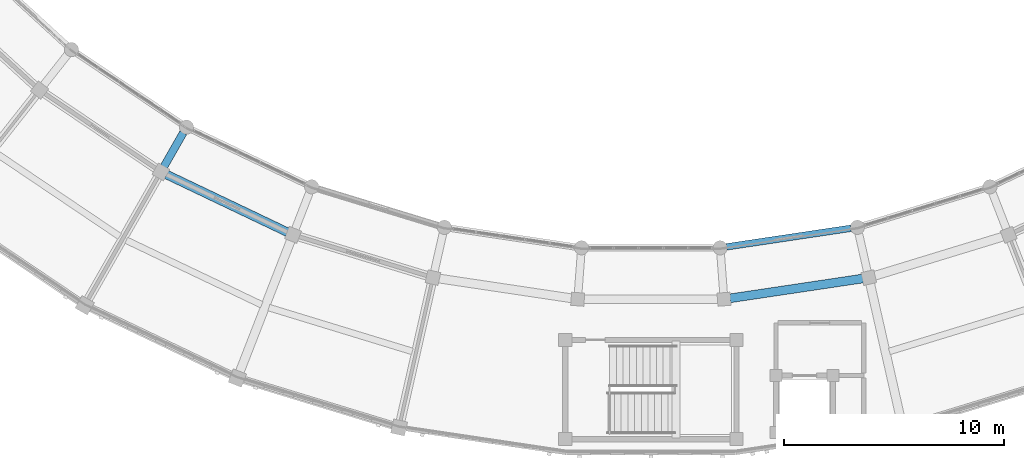
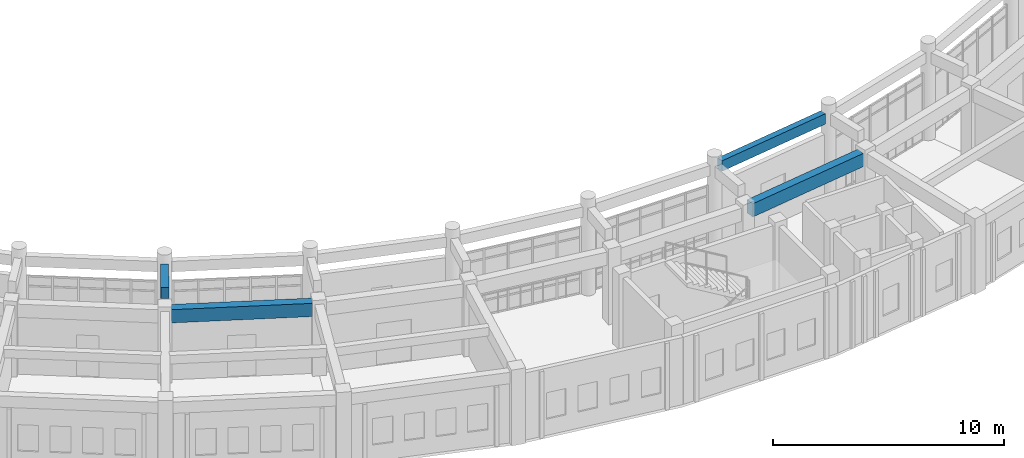
# One storey, part 33 of 159: 4 beams.
"""IFC4 building model written with IfcOpenShell, lengths in metres."""

from ifc_helpers import new_model, si_unit, direction, frame, origin, origin_2d, place, context, subcontext, project, spatial, rectangle, extrude, material, material_profile, profile_set, type_object, element, save


model = new_model("IFC4")

# Units and contexts
model_context = context("Model", 3, precision=1e-05, world=origin(), true_north=direction((0.0, 1.0)))
body_context = subcontext(model_context, "Body", "Model", "MODEL_VIEW")
ifc_project = project(units=[si_unit("LENGTHUNIT", "METRE"), si_unit("AREAUNIT", "SQUARE_METRE"), si_unit("VOLUMEUNIT", "CUBIC_METRE"), si_unit("PLANEANGLEUNIT", "RADIAN"), si_unit("MASSUNIT", "GRAM", prefix="KILO")], contexts=[model_context])

# Site, building, storey
site_placement = place(None, origin())
site = spatial("IfcSite", under=ifc_project, at=site_placement, CompositionType="ELEMENT")
building_placement = place(site_placement, origin())
building = spatial("IfcBuilding", under=site, at=building_placement, Name="Celadon Cloister-Ring School", CompositionType="ELEMENT")
storey_placement = place(building_placement, frame((0.0, 0.0, 4.5)))
storey = spatial("IfcBuildingStorey", under=building, at=storey_placement, Name="L01", CompositionType="ELEMENT", Elevation=4.5)

# Beams
ifc_material_1 = material(Name="Concrete C35/45", Category="concrete")
ifc_material_profile_1 = material_profile(ifc_material_1, rectangle(XDim=0.35009765625, YDim=0.60009765625, at=origin_2d()), Name="RC350X600")
ifc_profile_set_1 = profile_set([ifc_material_profile_1], Name="Concrete C35/45")
beam_type_1 = type_object("IfcBeamType", Name="BT-02", PredefinedType="BEAM", material=ifc_profile_set_1)
beam_1_placement = place(storey_placement, frame((64.81591796875, 20.1650390625, 4.35009765625), z_axis=(0.496183405226, 0.868217730975, 0.0), x_axis=(-0.868217730975, 0.496183405226, 0.0)))
element("IfcBeam", 1, at=beam_1_placement, inside=storey, type_object=beam_type_1, Name="Beam 0227", PredefinedType="BEAM", context=body_context, shape_type="SweptSolid", body=[
    extrude(rectangle(XDim=0.35009765625, YDim=0.60009765625, at=origin_2d()), origin(), (0.0, 0.0, 1.0), 1.773681640625),
])
ifc_material_2 = material(Name="Concrete C35/45", Category="concrete")
ifc_material_profile_2 = material_profile(ifc_material_2, rectangle(XDim=0.39990234375, YDim=0.699951171875, at=origin_2d()), Name="RC400X700")
ifc_profile_set_2 = profile_set([ifc_material_profile_2], Name="Concrete C35/45")
beam_type_2 = type_object("IfcBeamType", Name="GT-03", PredefinedType="USERDEFINED", material=ifc_profile_set_2)
beam_2_placement = place(storey_placement, frame((64.927978515625, 19.80810546875, 3.429931640625), z_axis=(0.902635406481, -0.430405997829, 0.0), x_axis=(0.430405997829, 0.902635406481, 0.0)))
element("IfcBeam", 2, at=beam_2_placement, inside=storey, type_object=beam_type_2, Name="Beam 0322", ObjectType="GIRDER", PredefinedType="USERDEFINED", context=body_context, shape_type="SweptSolid", body=[
    extrude(rectangle(XDim=0.39990234375, YDim=0.699951171875, at=origin_2d()), origin(), (0.0, 0.0, 1.0), 6.11767578125),
])
beam_3_placement = place(storey_placement, frame((90.60498046875, 14.1650390625, 3.429931640625), z_axis=(0.989042366653, 0.14763196458, 0.0), x_axis=(-0.14763196458, 0.989042366653, 0.0)))
element("IfcBeam", 3, at=beam_3_placement, inside=storey, type_object=beam_type_2, Name="Beam 0333", ObjectType="GIRDER", PredefinedType="USERDEFINED", context=body_context, shape_type="SweptSolid", body=[
    extrude(rectangle(XDim=0.39990234375, YDim=0.699951171875, at=origin_2d()), origin(), (0.0, 0.0, 1.0), 6.1171875),
])
ifc_material_3 = material(Name="Concrete C35/45", Category="concrete")
ifc_material_profile_3 = material_profile(ifc_material_3, rectangle(XDim=0.300048828125, YDim=0.550048828125, at=origin_2d()), Name="RC300X550")
ifc_profile_set_3 = profile_set([ifc_material_profile_3], Name="Concrete C35/45")
beam_type_3 = type_object("IfcBeamType", Name="SP-02", PredefinedType="SPANDREL", material=ifc_profile_set_3)
beam_4_placement = place(storey_placement, frame((90.4560546875, 16.510986328125, 4.375), z_axis=(0.988995465625, 0.147945831213, 0.0), x_axis=(-0.147945831213, 0.988995465625, 0.0)))
element("IfcBeam", 4, at=beam_4_placement, inside=storey, type_object=beam_type_3, Name="Beam 0334", PredefinedType="SPANDREL", context=body_context, shape_type="SweptSolid", body=[
    extrude(rectangle(XDim=0.300048828125, YDim=0.550048828125, at=origin_2d()), origin(), (0.0, 0.0, 1.0), 5.718017578125),
])

save(model, "model.ifc")
